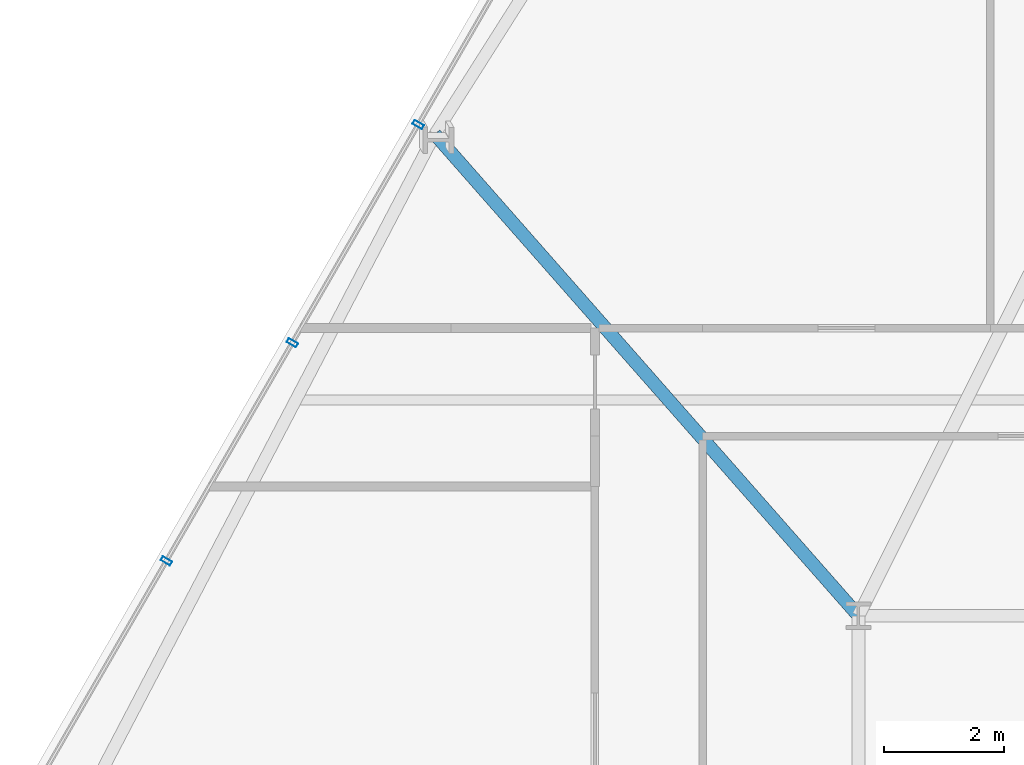
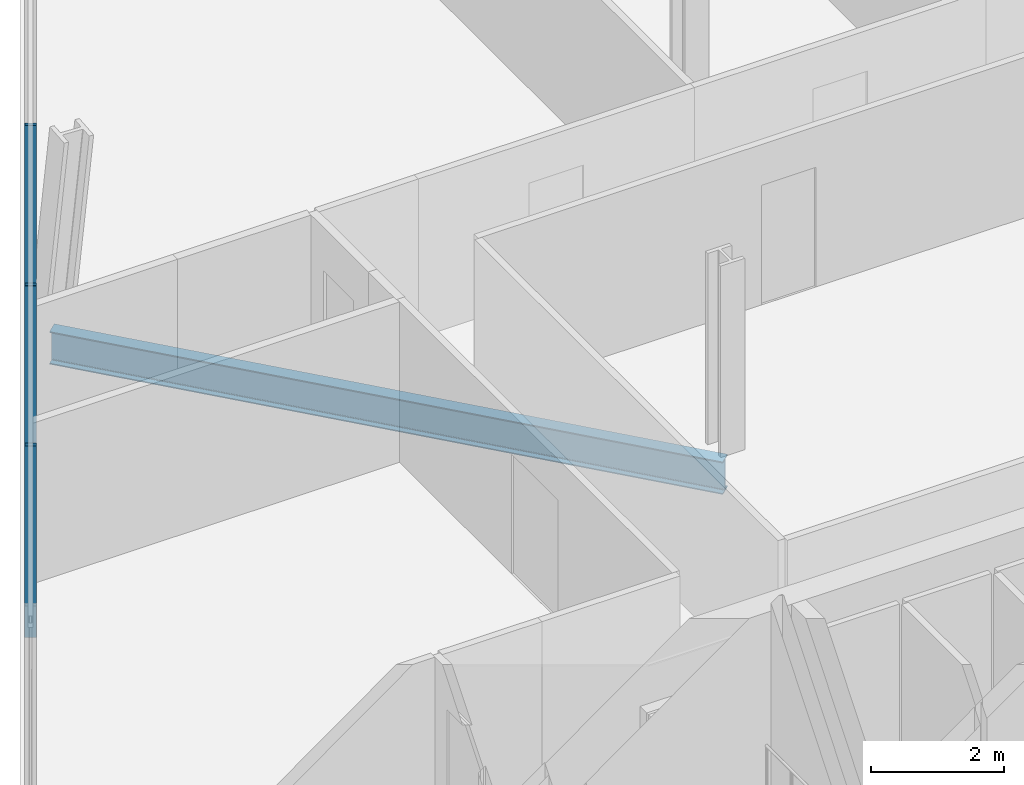
# One storey, part 11 of 31: 3 members, 1 beam, 1 element without a shape of its own.
"""IFC4 building model written with IfcOpenShell, lengths in metres."""

from ifc_helpers import new_model, si_unit, direction, frame, origin, origin_2d, place, context, subcontext, project, spatial, hollow_rectangle, i_section, extrude, material, layer, layer_set, material_profile, profile_set, type_object, element, aggregate, save


model = new_model("IFC4")

# Units and contexts
model_context = context("Model", 3, precision=1e-05, world=origin(), true_north=direction((0.0, 1.0)))
body_context = subcontext(model_context, "Body", "Model", "MODEL_VIEW")
ifc_project = project(units=[si_unit("LENGTHUNIT", "METRE"), si_unit("AREAUNIT", "SQUARE_METRE"), si_unit("VOLUMEUNIT", "CUBIC_METRE"), si_unit("PLANEANGLEUNIT", "RADIAN"), si_unit("MASSUNIT", "GRAM", prefix="KILO")], contexts=[model_context])

# Site, building, storey
site_placement = place(None, origin())
site = spatial("IfcSite", under=ifc_project, at=site_placement, CompositionType="ELEMENT")
building_placement = place(site_placement, origin())
building = spatial("IfcBuilding", under=site, at=building_placement, Name="Ndaravel Arena Tower", CompositionType="ELEMENT")
storey_placement = place(building_placement, frame((0.0, 0.0, 108.199951171875)))
storey = spatial("IfcBuildingStorey", under=building, at=storey_placement, Name="L25", CompositionType="ELEMENT", Elevation=108.199951171875)

# Beam
ifc_material_1 = material(Name="Steel S355", Category="steel")
ifc_material_profile_1 = material_profile(ifc_material_1, i_section(OverallWidth=0.219970703125, OverallDepth=0.60009765625, WebThickness=0.011962890625, FlangeThickness=0.01904296875, FilletRadius=0.02392578125, at=origin_2d()), Name="IPE 600")
ifc_profile_set_1 = profile_set([ifc_material_profile_1], Name="Steel S355")
beam_type = type_object("IfcBeamType", Name="BM-GIRD-IPE600", PredefinedType="BEAM", material=ifc_profile_set_1)
beam_placement = place(storey_placement, frame((27.12890625, 31.23779296875, -0.52001953125), z_axis=(0.660509130582, -0.750818012849, 0.0), x_axis=(0.750818012849, 0.660509130582, 0.0)))
element("IfcBeam", 1, at=beam_placement, inside=storey, type_object=beam_type, Name="L25 Radial Floor Girder FG-19", PredefinedType="BEAM", context=body_context, shape_type="SweptSolid", body=[
    extrude(i_section(OverallWidth=0.219970703125, OverallDepth=0.60009765625, WebThickness=0.011962890625, FlangeThickness=0.01904296875, FilletRadius=0.02392578125, at=origin_2d()), origin(), (0.0, 0.0, 1.0), 10.70556640625),
])

# Curtain wall, members
ifc_material_2 = material(Name="Aluminium", Category="aluminium")
ifc_layer = layer(ifc_material_2, 0.179931640625)
ifc_layer_set = layer_set([ifc_layer], Name="Aluminium")
curtain_wall_type = type_object("IfcCurtainWallType", Name="CW-SYS-03", PredefinedType="NOTDEFINED", material=ifc_layer_set)
curtain_wall_placement = place(storey_placement, origin())
curtain_wall = element("IfcCurtainWall", 2, at=curtain_wall_placement, inside=storey, type_object=curtain_wall_type, Name="L25 Faceted Crystal Curtain Wall CW-L25-E05", PredefinedType="NOTDEFINED")
ifc_material_3 = material(Name="Aluminium", Category="aluminium")
ifc_material_profile_2 = material_profile(ifc_material_3, hollow_rectangle(XDim=0.074951171875, YDim=0.179931640625, WallThickness=0.00390625, at=origin_2d()), Name="CW MULLION 75x180x4")
ifc_profile_set_2 = profile_set([ifc_material_profile_2], Name="Aluminium")
member_type = type_object("IfcMemberType", Name="MEM-CW-MUL180", PredefinedType="MULLION", material=ifc_profile_set_2)
member_1_placement = place(storey_placement, frame((26.851806640625, 31.397705078125, 0.0), z_axis=(0.0, 0.0, 1.0), x_axis=(-0.5, -0.866025403784, 0.0)))
member_1 = element("IfcMember", 3, at=member_1_placement, type_object=member_type, Name="CW-L25-E05 Mullion 04", PredefinedType="MULLION", context=body_context, shape_type="SweptSolid", body=[
    extrude(hollow_rectangle(XDim=0.074951171875, YDim=0.179931640625, WallThickness=0.00390625, at=origin_2d()), origin(), (0.0, 0.0, 1.0), 3.52001953125),
])
member_2_placement = place(storey_placement, frame((24.74951171875, 27.756591796875, 0.0), z_axis=(0.0, 0.0, 1.0), x_axis=(-0.5, -0.866025403784, 0.0)))
member_2 = element("IfcMember", 4, at=member_2_placement, type_object=member_type, Name="CW-L25-E05 Mullion 05", PredefinedType="MULLION", context=body_context, shape_type="SweptSolid", body=[
    extrude(hollow_rectangle(XDim=0.074951171875, YDim=0.179931640625, WallThickness=0.00390625, at=origin_2d()), origin(), (0.0, 0.0, 1.0), 3.52001953125),
])
member_3_placement = place(storey_placement, frame((22.647216796875, 24.115234375, 0.0), z_axis=(0.0, 0.0, 1.0), x_axis=(-0.5, -0.866025403784, 0.0)))
member_3 = element("IfcMember", 5, at=member_3_placement, type_object=member_type, Name="CW-L25-E05 Mullion 06", PredefinedType="MULLION", context=body_context, shape_type="SweptSolid", body=[
    extrude(hollow_rectangle(XDim=0.074951171875, YDim=0.179931640625, WallThickness=0.00390625, at=origin_2d()), origin(), (0.0, 0.0, 1.0), 3.52001953125),
])
aggregate(curtain_wall, [member_1, member_2, member_3])

save(model, "model.ifc")
